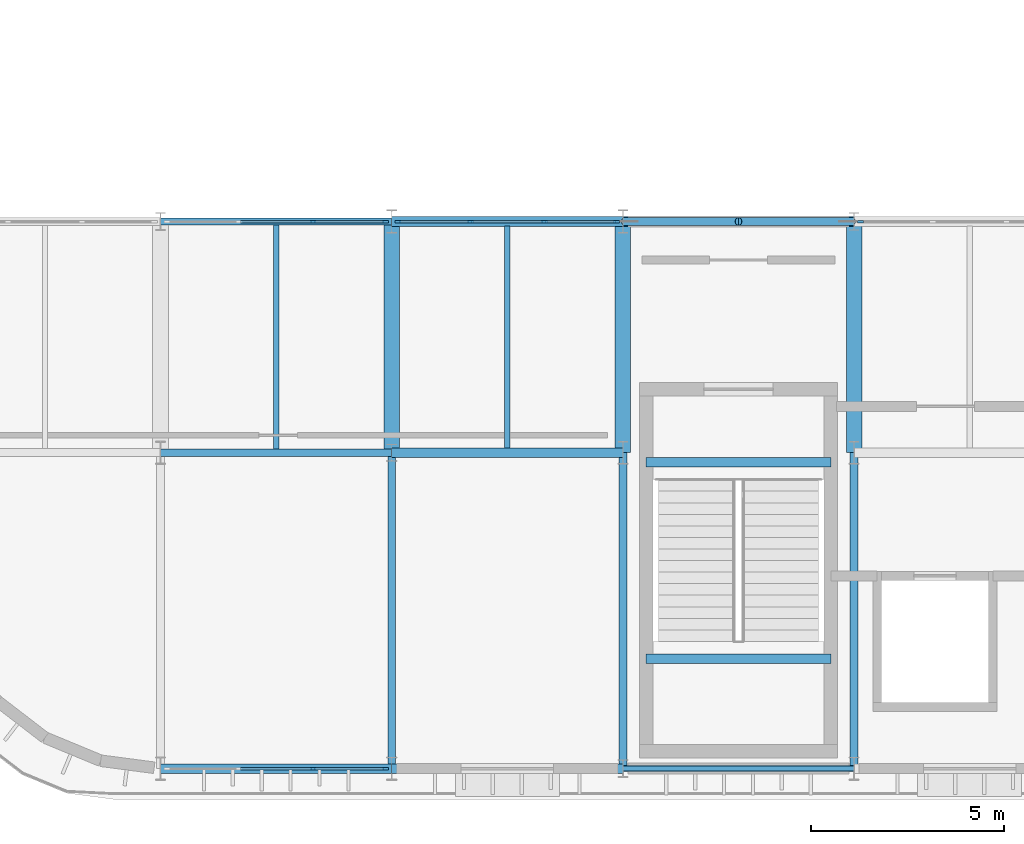
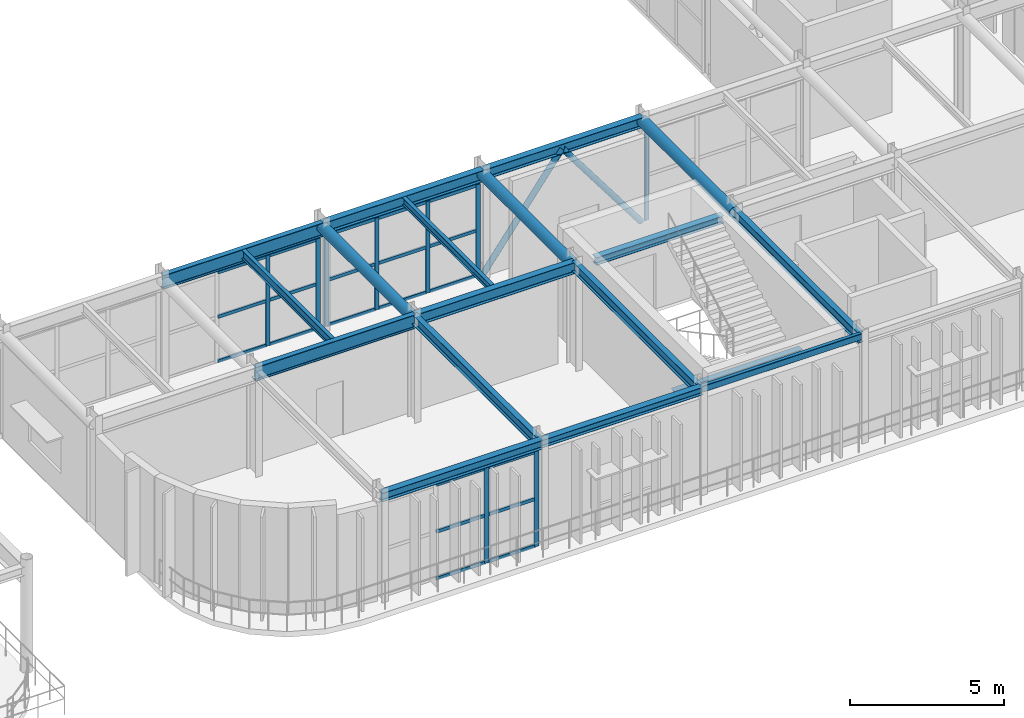
# One storey, part 38 of 96: 32 members, 18 beams, 4 elements without a shape of their own.
"""IFC4 building model written with IfcOpenShell, lengths in metres."""

import ifcopenshell
import ifcopenshell.guid

model = None  # the IFC model being written
_history = None  # IfcOwnerHistory: only IFC2X3 demands one
_inside = {}  # id of a spatial element -> (the spatial element, [elements in it])
_under = {}  # id of a project, library or spatial element -> (it, [spatial elements below it])
_declared = {}  # id of a project -> (the project, [libraries it declares])
_typed = {}  # id of a type object -> (the type object, [elements of that type])
_made_of = {}  # id of a material, layer set ... -> (it, [elements and type objects made of it])


def new_model(schema):
    """Start an empty IFC model of exactly this schema.

    Asked for "IFC4X3", IfcOpenShell would pick the latest addendum, in which some entities
    have other attributes; the version numbers below select the first issue.
    IFC2X3 requires an IfcOwnerHistory on every rooted entity: one is made here for all.
    """
    global model, _history
    if schema == "IFC4X3":
        model = ifcopenshell.file(schema_version=(4, 3, 0, 0))
    else:
        model = ifcopenshell.file(schema=schema)
    _inside.clear()
    _under.clear()
    _declared.clear()
    _typed.clear()
    _made_of.clear()
    _history = None
    if model.schema == "IFC2X3":
        org = make("IfcOrganization", Name="unknown")
        user = make(
            "IfcPersonAndOrganization",
            ThePerson=make("IfcPerson", FamilyName="unknown"),
            TheOrganization=org,
        )
        app = make(
            "IfcApplication",
            ApplicationDeveloper=org,
            Version="unknown",
            ApplicationFullName="unknown",
            ApplicationIdentifier="unknown",
        )
        _history = make(
            "IfcOwnerHistory",
            OwningUser=user,
            OwningApplication=app,
            ChangeAction="ADDED",
            CreationDate=0,
        )
    return model


def make(cls, **values):
    """One entity of the class cls with the attributes given. An attribute that is None is left unset."""
    return model.create_entity(
        cls, **{name: value for name, value in values.items() if value is not None}
    )


def rooted(cls, **values):
    """An entity with a GlobalId (a new one), such as an element, a storey or a relation."""
    return make(cls, GlobalId=ifcopenshell.guid.new(), OwnerHistory=_history, **values)


def si_unit(unit_type, name, prefix=None):
    """IfcSIUnit, for example si_unit("LENGTHUNIT", "METRE", prefix="MILLI")."""
    return make("IfcSIUnit", UnitType=unit_type, Prefix=prefix, Name=name)


def assignment(units):
    """IfcUnitAssignment: the units of a project."""
    return None if units is None else make("IfcUnitAssignment", Units=units)


def point(xyz):
    """IfcCartesianPoint."""
    return None if xyz is None else make("IfcCartesianPoint", Coordinates=xyz)


def direction(xyz):
    """IfcDirection."""
    return None if xyz is None else make("IfcDirection", DirectionRatios=xyz)


def frame(location, z_axis=None, x_axis=None):
    """IfcAxis2Placement3D, a coordinate frame: its origin and axes. An axis left out is left unset."""
    return make(
        "IfcAxis2Placement3D",
        Location=point(location),
        Axis=direction(z_axis),
        RefDirection=direction(x_axis),
    )


def frame_2d(location, x_axis=None):
    """IfcAxis2Placement2D, a coordinate frame in the plane: its origin and x axis."""
    return make(
        "IfcAxis2Placement2D", Location=point(location), RefDirection=direction(x_axis)
    )


def origin():
    """The frame at (0, 0, 0) with its axes left unset."""
    return frame((0.0, 0.0, 0.0))


def origin_2d():
    """The frame at (0, 0) in the plane with its x axis left unset."""
    return frame_2d((0.0, 0.0))


def place(relative_to, where):
    """IfcLocalPlacement: puts the frame where relative to a parent placement (None: the world)."""
    return make(
        "IfcLocalPlacement", PlacementRelTo=relative_to, RelativePlacement=where
    )


def context(
    kind, dimensions, precision=None, world=None, true_north=None, identifier=None
):
    """IfcGeometricRepresentationContext, for example the 3D "Model" context."""
    return make(
        "IfcGeometricRepresentationContext",
        ContextIdentifier=identifier,
        ContextType=kind,
        CoordinateSpaceDimension=dimensions,
        Precision=precision,
        WorldCoordinateSystem=world,
        TrueNorth=true_north,
    )


def subcontext(parent, identifier, kind, view, scale=None):
    """IfcGeometricRepresentationSubContext, for example "Body" below "Model"."""
    return make(
        "IfcGeometricRepresentationSubContext",
        ContextIdentifier=identifier,
        ContextType=kind,
        ParentContext=parent,
        TargetScale=scale,
        TargetView=view,
    )


def project(units=None, contexts=None):
    """IfcProject with its units and contexts."""
    return rooted(
        "IfcProject",
        Name="project",
        RepresentationContexts=contexts,
        UnitsInContext=assignment(units),
    )


def spatial(cls, under=None, at=None, **own):
    """A site, building, storey or space (cls), placed at a placement, below another one or the project."""
    s = rooted(cls, ObjectPlacement=at, **own)
    if under is not None:
        _under.setdefault(under.id(), (under, []))[1].append(s)
    return s


def profile(cls, at=None, kind="AREA", **sizes):
    """A parametric profile (cls). Its sizes go by their IFC names, for example OverallWidth=200.0."""
    return make(cls, ProfileType=kind, Position=at, **sizes)


def rectangle(**sizes):
    """IfcRectangleProfileDef."""
    return profile("IfcRectangleProfileDef", **sizes)


def hollow_rectangle(**sizes):
    """IfcRectangleHollowProfileDef."""
    return profile("IfcRectangleHollowProfileDef", **sizes)


def hollow_circle(**sizes):
    """IfcCircleHollowProfileDef."""
    return profile("IfcCircleHollowProfileDef", **sizes)


def i_section(**sizes):
    """IfcIShapeProfileDef."""
    return profile("IfcIShapeProfileDef", **sizes)


def extrude(swept, where, along, depth):
    """IfcExtrudedAreaSolid: the profile swept, set in the frame where, extruded along a direction by depth."""
    return make(
        "IfcExtrudedAreaSolid",
        SweptArea=swept,
        Position=where,
        ExtrudedDirection=direction(along),
        Depth=depth,
    )


def shape(context_of_items, identifier, shape_type, items):
    """IfcShapeRepresentation: the items that make up one representation, for example the "Body"."""
    return make(
        "IfcShapeRepresentation",
        ContextOfItems=context_of_items,
        RepresentationIdentifier=identifier,
        RepresentationType=shape_type,
        Items=items,
    )


def material(Name=None, Category=None):
    """IfcMaterial."""
    return make("IfcMaterial", Name=Name, Category=Category)


def material_profile(
    of_material, cross_section, Name=None, Category=None, Priority=None
):
    """IfcMaterialProfile: a cross section and its material."""
    return make(
        "IfcMaterialProfile",
        Name=Name,
        Material=of_material,
        Profile=cross_section,
        Priority=Priority,
        Category=Category,
    )


def profile_set(profiles, Name=None, composite=None):
    """IfcMaterialProfileSet."""
    return make(
        "IfcMaterialProfileSet",
        Name=Name,
        MaterialProfiles=profiles,
        CompositeProfile=composite,
    )


def made_of(thing, what):
    """Note that an element or type object is made of a material, layer set ...; save() writes the relation."""
    if what is not None:
        _made_of.setdefault(what.id(), (what, []))[1].append(thing)
    return thing


def type_object(cls, material=None, **own):
    """A type object (cls), such as IfcWallType, which elements share."""
    return made_of(rooted(cls, **own), material)


def element(
    cls,
    number,
    at=None,
    inside=None,
    cuts=None,
    type_object=None,
    material=None,
    context=None,
    identifier="Body",
    shape_type=None,
    held_by="IfcProductDefinitionShape",
    body=None,
    shapes=None,
    **own,
):
    """One element of the class cls, such as IfcWall. Its Tag is "e" and its number.

    at: its placement. inside: the storey or other place that contains it. cuts: it is an
    opening in that element (IfcRelVoidsElement). A single representation is given by context,
    identifier, shape_type and body (its items); several are given by shapes. held_by: the class
    of the entity that holds the representations. save() writes the other relations.
    """
    e = rooted(cls, Tag="e%d" % number, ObjectPlacement=at, **own)
    if body is not None:
        shapes = [shape(context, identifier, shape_type, body)]
    if shapes is not None:
        e.Representation = make(held_by, Representations=shapes)
    if inside is not None:
        _inside.setdefault(inside.id(), (inside, []))[1].append(e)
    if cuts is not None:
        rooted(
            "IfcRelVoidsElement", RelatingBuildingElement=cuts, RelatedOpeningElement=e
        )
    if type_object is not None:
        _typed.setdefault(type_object.id(), (type_object, []))[1].append(e)
    return made_of(e, material)


def aggregate(whole, parts):
    """IfcRelAggregates: a whole, such as a stair, and the parts it consists of."""
    return rooted("IfcRelAggregates", RelatingObject=whole, RelatedObjects=parts)


def save(model, path):
    """Write the relations noted so far, then the file.

    IfcRelAggregates (storeys below a building ...), IfcRelContainedInSpatialStructure (elements
    in a storey), IfcRelDefinesByType, IfcRelAssociatesMaterial and IfcRelDeclares: one each for
    every whole, place, type object, material and project.
    """
    for whole, parts in _under.values():
        aggregate(whole, parts)
    for where, things in _inside.values():
        rooted(
            "IfcRelContainedInSpatialStructure",
            RelatedElements=things,
            RelatingStructure=where,
        )
    for kind, things in _typed.values():
        rooted("IfcRelDefinesByType", RelatedObjects=things, RelatingType=kind)
    for what, things in _made_of.values():
        rooted("IfcRelAssociatesMaterial", RelatedObjects=things, RelatingMaterial=what)
    for by, libraries in _declared.values():
        rooted("IfcRelDeclares", RelatingContext=by, RelatedDefinitions=libraries)
    model.write(path)


model = new_model("IFC4")

# Units and contexts
model_context = context("Model", 3, precision=1e-05, world=origin(), true_north=direction((0.0, 1.0)))
body_context = subcontext(model_context, "Body", "Model", "MODEL_VIEW")
ifc_project = project(units=[si_unit("LENGTHUNIT", "METRE"), si_unit("AREAUNIT", "SQUARE_METRE"), si_unit("VOLUMEUNIT", "CUBIC_METRE"), si_unit("PLANEANGLEUNIT", "RADIAN"), si_unit("MASSUNIT", "GRAM", prefix="KILO")], contexts=[model_context])

# Site, building, storey
site_placement = place(None, origin())
site = spatial("IfcSite", under=ifc_project, at=site_placement, CompositionType="ELEMENT")
building_placement = place(site_placement, origin())
building = spatial("IfcBuilding", under=site, at=building_placement, Name="Varnakota Square Police Headquarters", CompositionType="ELEMENT")
storey_placement = place(building_placement, frame((0.0, 0.0, 4.800048828125)))
storey = spatial("IfcBuildingStorey", under=building, at=storey_placement, Name="L01", CompositionType="ELEMENT", Elevation=4.800048828125)

# Beams
ifc_material_1 = material(Name="Steel IS 2062 Grade 350", Category="steel")
ifc_material_profile_1 = material_profile(ifc_material_1, hollow_circle(Radius=0.203125, WallThickness=0.01611328125, at=origin_2d()), Name="CHS 406.4x16.0")
ifc_profile_set_1 = profile_set([ifc_material_profile_1], Name="Steel IS 2062 Grade 350")
beam_type_1 = type_object("IfcBeamType", Name="BM-ARC-CHS406", PredefinedType="BEAM", material=ifc_profile_set_1)
for number, where, z_axis, x_axis, name in (
    (1, (120.0, 9.0, 3.996826171875), (0.0, 1.0, 0.0), (-1.0, 0.0, 0.0), "BMG-L01-1696"),
    (2, (126.0, 9.0, 3.996826171875), (0.0, 1.0, 0.0), (-1.0, 0.0, 0.0), "BMG-L01-1702"),
    (3, (132.0, 9.0, 3.996826171875), (0.0, 1.0, 0.0), (-1.0, 0.0, 0.0), "BMG-L01-1708"),
):
    element("IfcBeam", number, at=place(storey_placement, frame(where, z_axis=z_axis, x_axis=x_axis)), inside=storey, type_object=beam_type_1, Name=name, PredefinedType="BEAM", context=body_context, shape_type="SweptSolid", body=[
        extrude(hollow_circle(Radius=0.203125, WallThickness=0.01611328125, at=origin_2d()), origin(), (0.0, 0.0, 1.0), 6.0),
    ])
ifc_material_profile_2 = material_profile(ifc_material_1, hollow_rectangle(XDim=0.14990234375, YDim=0.25, WallThickness=0.010009765625, InnerFilletRadius=0.010009765625, OuterFilletRadius=0.02001953125, at=origin_2d()), Name="RHS 250x150x10")
ifc_profile_set_2 = profile_set([ifc_material_profile_2], Name="Steel IS 2062 Grade 350")
beam_type_2 = type_object("IfcBeamType", Name="BM-CBEAM-RHS250", PredefinedType="BEAM", material=ifc_profile_set_2)
beam_1_placement = place(storey_placement, frame((126.0, 0.800048828125, 4.074951171875), z_axis=(1.0, 0.0, 0.0), x_axis=(0.0, 1.0, 0.0)))
element("IfcBeam", 4, at=beam_1_placement, inside=storey, type_object=beam_type_2, Name="BMG-L01-1309", PredefinedType="BEAM", context=body_context, shape_type="SweptSolid", body=[
    extrude(hollow_rectangle(XDim=0.14990234375, YDim=0.25, WallThickness=0.010009765625, InnerFilletRadius=0.010009765625, OuterFilletRadius=0.02001953125, at=origin_2d()), origin(), (0.0, 0.0, 1.0), 6.0),
])
ifc_material_profile_3 = material_profile(ifc_material_1, i_section(OverallWidth=0.25, OverallDepth=0.300048828125, WebThickness=0.009521484375, FlangeThickness=0.010498046875, FilletRadius=0.011962890625, at=origin_2d()), Name="ISHB 300")
ifc_profile_set_3 = profile_set([ifc_material_profile_3], Name="Steel IS 2062 Grade 350")
beam_type_3 = type_object("IfcBeamType", Name="BM-ISHB300", PredefinedType="BEAM", material=ifc_profile_set_3)
beam_2_placement = place(storey_placement, frame((120.0, 0.800048828125, 4.050048828125), z_axis=(1.0, 0.0, 0.0), x_axis=(0.0, 1.0, 0.0)))
element("IfcBeam", 5, at=beam_2_placement, inside=storey, type_object=beam_type_3, Name="BMG-L01-1308", PredefinedType="BEAM", context=body_context, shape_type="SweptSolid", body=[
    extrude(i_section(OverallWidth=0.25, OverallDepth=0.300048828125, WebThickness=0.009521484375, FlangeThickness=0.010498046875, FilletRadius=0.011962890625, at=origin_2d()), origin(), (0.0, 0.0, 1.0), 6.0),
])
for number, where, z_axis, x_axis, name in (
    (6, (126.60009765625, 3.6494140625, 1.933837890625), (1.0, 0.0, 0.0), (0.0, 1.0, 0.0), "Stair landing support beam BM-LND-0004"),
    (7, (126.60009765625, 8.75, 4.14990234375), (1.0, 0.0, 0.0), (0.0, 1.0, 0.0), "Stair landing support beam BM-LND-0005"),
):
    element("IfcBeam", number, at=place(storey_placement, frame(where, z_axis=z_axis, x_axis=x_axis)), inside=storey, type_object=beam_type_3, Name=name, PredefinedType="BEAM", context=body_context, shape_type="SweptSolid", body=[
        extrude(i_section(OverallWidth=0.25, OverallDepth=0.300048828125, WebThickness=0.009521484375, FlangeThickness=0.010498046875, FilletRadius=0.011962890625, at=origin_2d()), origin(), (0.0, 0.0, 1.0), 4.7998046875),
    ])
ifc_material_profile_4 = material_profile(ifc_material_1, i_section(OverallWidth=0.25, OverallDepth=0.35009765625, WebThickness=0.010009765625, FlangeThickness=0.01171875, FilletRadius=0.011962890625, at=origin_2d()), Name="ISHB 350")
ifc_profile_set_4 = profile_set([ifc_material_profile_4], Name="Steel IS 2062 Grade 350")
beam_type_4 = type_object("IfcBeamType", Name="BM-ISHB350", PredefinedType="BEAM", material=ifc_profile_set_4)
beam_3_placement = place(storey_placement, frame((114.0, 0.800048828125, 4.02490234375), z_axis=(1.0, 0.0, 0.0), x_axis=(0.0, 1.0, 0.0)))
element("IfcBeam", 8, at=beam_3_placement, inside=storey, type_object=beam_type_4, Name="BMG-L01-1307", PredefinedType="BEAM", context=body_context, shape_type="SweptSolid", body=[
    extrude(i_section(OverallWidth=0.25, OverallDepth=0.35009765625, WebThickness=0.010009765625, FlangeThickness=0.01171875, FilletRadius=0.011962890625, at=origin_2d()), origin(), (0.0, 0.0, 1.0), 6.0),
])
ifc_material_profile_5 = material_profile(ifc_material_1, i_section(OverallWidth=0.25, OverallDepth=0.39990234375, WebThickness=0.010498046875, FlangeThickness=0.0126953125, FilletRadius=0.013916015625, at=origin_2d()), Name="ISHB 400")
ifc_profile_set_5 = profile_set([ifc_material_profile_5], Name="Steel IS 2062 Grade 350")
beam_type_5 = type_object("IfcBeamType", Name="BM-ISHB400", PredefinedType="BEAM", material=ifc_profile_set_5)
beam_4_placement = place(storey_placement, frame((126.0, 15.0, 4.0), z_axis=(1.0, 0.0, 0.0), x_axis=(0.0, 1.0, 0.0)))
element("IfcBeam", 9, at=beam_4_placement, inside=storey, type_object=beam_type_5, Name="BMG-L01-1349", PredefinedType="BEAM", context=body_context, shape_type="SweptSolid", body=[
    extrude(i_section(OverallWidth=0.25, OverallDepth=0.39990234375, WebThickness=0.010498046875, FlangeThickness=0.0126953125, FilletRadius=0.013916015625, at=origin_2d()), origin(), (0.0, 0.0, 1.0), 6.0),
])
ifc_material_profile_6 = material_profile(ifc_material_1, i_section(OverallWidth=0.25, OverallDepth=0.449951171875, WebThickness=0.01123046875, FlangeThickness=0.013671875, FilletRadius=0.014892578125, at=origin_2d()), Name="ISHB 450")
ifc_profile_set_6 = profile_set([ifc_material_profile_6], Name="Steel IS 2062 Grade 350")
beam_type_6 = type_object("IfcBeamType", Name="BM-ISHB450", PredefinedType="BEAM", material=ifc_profile_set_6)
for number, where, z_axis, x_axis, name in (
    (10, (120.0, 9.0, 3.974853515625), (1.0, 0.0, 0.0), (0.0, 1.0, 0.0), "BMG-L01-1334"),
    (11, (120.0, 15.0, 3.974853515625), (1.0, 0.0, 0.0), (0.0, 1.0, 0.0), "BMG-L01-1348"),
):
    element("IfcBeam", number, at=place(storey_placement, frame(where, z_axis=z_axis, x_axis=x_axis)), inside=storey, type_object=beam_type_6, Name=name, PredefinedType="BEAM", context=body_context, shape_type="SweptSolid", body=[
        extrude(i_section(OverallWidth=0.25, OverallDepth=0.449951171875, WebThickness=0.01123046875, FlangeThickness=0.013671875, FilletRadius=0.014892578125, at=origin_2d()), origin(), (0.0, 0.0, 1.0), 6.0),
    ])
ifc_material_profile_7 = material_profile(ifc_material_1, i_section(OverallWidth=0.139892578125, OverallDepth=0.300048828125, WebThickness=0.0078125, FlangeThickness=0.01318359375, FilletRadius=0.013916015625, at=origin_2d()), Name="ISMB 300")
ifc_profile_set_7 = profile_set([ifc_material_profile_7], Name="Steel IS 2062 Grade 350")
beam_type_7 = type_object("IfcBeamType", Name="BM-ISMB300", PredefinedType="JOIST", material=ifc_profile_set_7)
beam_5_placement = place(storey_placement, frame((123.0, 9.123046875, 4.050048828125), z_axis=(0.0, 1.0, 0.0), x_axis=(-1.0, 0.0, 0.0)))
element("IfcBeam", 12, at=beam_5_placement, inside=storey, type_object=beam_type_7, Name="BMG-L01-1856", PredefinedType="JOIST", context=body_context, shape_type="SweptSolid", body=[
    extrude(i_section(OverallWidth=0.139892578125, OverallDepth=0.300048828125, WebThickness=0.0078125, FlangeThickness=0.01318359375, FilletRadius=0.013916015625, at=origin_2d()), origin(), (0.0, 0.0, 1.0), 5.75390625),
])
ifc_material_profile_8 = material_profile(ifc_material_1, i_section(OverallWidth=0.139892578125, OverallDepth=0.35009765625, WebThickness=0.008056640625, FlangeThickness=0.01416015625, FilletRadius=0.013916015625, at=origin_2d()), Name="ISMB 350")
ifc_profile_set_8 = profile_set([ifc_material_profile_8], Name="Steel IS 2062 Grade 350")
beam_type_8 = type_object("IfcBeamType", Name="BM-ISMB350", PredefinedType="JOIST", material=ifc_profile_set_8)
beam_6_placement = place(storey_placement, frame((117.0, 9.093017578125, 4.02490234375), z_axis=(0.0, 1.0, 0.0), x_axis=(-1.0, 0.0, 0.0)))
element("IfcBeam", 13, at=beam_6_placement, inside=storey, type_object=beam_type_8, Name="BMG-L01-1852", PredefinedType="JOIST", context=body_context, shape_type="SweptSolid", body=[
    extrude(i_section(OverallWidth=0.139892578125, OverallDepth=0.35009765625, WebThickness=0.008056640625, FlangeThickness=0.01416015625, FilletRadius=0.013916015625, at=origin_2d()), origin(), (0.0, 0.0, 1.0), 5.81396484375),
])
ifc_material_profile_9 = material_profile(ifc_material_1, i_section(OverallWidth=0.18994140625, OverallDepth=0.550048828125, WebThickness=0.01123046875, FlangeThickness=0.019287109375, FilletRadius=0.01806640625, at=origin_2d()), Name="ISMB 550")
ifc_profile_set_9 = profile_set([ifc_material_profile_9], Name="Steel IS 2062 Grade 350")
beam_type_9 = type_object("IfcBeamType", Name="BM-ISMB550", PredefinedType="BEAM", material=ifc_profile_set_9)
for number, where, z_axis, x_axis, name in (
    (14, (114.0, 9.0, 3.925048828125), (1.0, 0.0, 0.0), (0.0, 1.0, 0.0), "BMG-L01-1333"),
    (15, (114.0, 15.0, 3.925048828125), (1.0, 0.0, 0.0), (0.0, 1.0, 0.0), "BMG-L01-1347"),
):
    element("IfcBeam", number, at=place(storey_placement, frame(where, z_axis=z_axis, x_axis=x_axis)), inside=storey, type_object=beam_type_9, Name=name, PredefinedType="BEAM", context=body_context, shape_type="SweptSolid", body=[
        extrude(i_section(OverallWidth=0.18994140625, OverallDepth=0.550048828125, WebThickness=0.01123046875, FlangeThickness=0.019287109375, FilletRadius=0.01806640625, at=origin_2d()), origin(), (0.0, 0.0, 1.0), 6.0),
    ])
ifc_material_profile_10 = material_profile(ifc_material_1, i_section(OverallWidth=0.199951171875, OverallDepth=0.39990234375, WebThickness=0.008544921875, FlangeThickness=0.012939453125, FilletRadius=0.012939453125, at=origin_2d()), Name="ISWB 400")
ifc_profile_set_10 = profile_set([ifc_material_profile_10], Name="Steel IS 2062 Grade 350")
beam_type_10 = type_object("IfcBeamType", Name="BM-ISWB400", PredefinedType="BEAM", material=ifc_profile_set_10)
for number, where, z_axis, x_axis, name in (
    (16, (120.0, 0.800048828125, 4.0), (0.0, 1.0, 0.0), (-1.0, 0.0, 0.0), "BMG-L01-1695"),
    (17, (126.0, 0.800048828125, 4.0), (0.0, 1.0, 0.0), (-1.0, 0.0, 0.0), "BMG-L01-1701"),
    (18, (132.0, 0.800048828125, 4.0), (0.0, 1.0, 0.0), (-1.0, 0.0, 0.0), "BMG-L01-1707"),
):
    element("IfcBeam", number, at=place(storey_placement, frame(where, z_axis=z_axis, x_axis=x_axis)), inside=storey, type_object=beam_type_10, Name=name, PredefinedType="BEAM", context=body_context, shape_type="SweptSolid", body=[
        extrude(i_section(OverallWidth=0.199951171875, OverallDepth=0.39990234375, WebThickness=0.008544921875, FlangeThickness=0.012939453125, FilletRadius=0.012939453125, at=origin_2d()), origin(), (0.0, 0.0, 1.0), 8.199951171875),
    ])

# Curtain wall, members
ifc_material_2 = material(Name="Anodised Aluminium Framing", Category="aluminium")
curtain_wall_type_1 = type_object("IfcCurtainWallType", Name="CW-SYS-B", PredefinedType="NOTDEFINED", material=ifc_material_2)
curtain_wall_1_placement = place(storey_placement, origin())
curtain_wall_1 = element("IfcCurtainWall", 19, at=curtain_wall_1_placement, inside=storey, type_object=curtain_wall_type_1, Name="Unitised curtain wall CWG-L01-055", PredefinedType="NOTDEFINED")
ifc_material_3 = material(Name="Anodised Aluminium 6063-T6", Category="aluminium")
ifc_material_profile_11 = material_profile(ifc_material_3, rectangle(XDim=0.06494140625, YDim=0.159912109375, at=origin_2d()), Name="ALU MULLION 65x160")
ifc_profile_set_11 = profile_set([ifc_material_profile_11], Name="Anodised Aluminium 6063-T6")
member_type_1 = type_object("IfcMemberType", Name="CWM-150", PredefinedType="MULLION", material=ifc_profile_set_11)
member_1_placement = place(storey_placement, frame((117.956787109375, 0.800048828125, 0.0), z_axis=(0.0, 0.0, 1.0), x_axis=(0.0, 1.0, 0.0)))
member_1 = element("IfcMember", 20, at=member_1_placement, type_object=member_type_1, Name="CWG-L01-055 mullion 3", PredefinedType="MULLION", context=body_context, shape_type="SweptSolid", body=[
    extrude(rectangle(XDim=0.06494140625, YDim=0.159912109375, at=origin_2d()), origin(), (0.0, 0.0, 1.0), 3.7900390625),
])
member_2_placement = place(storey_placement, frame((119.83740234375, 0.800048828125, 0.0), z_axis=(0.0, 0.0, 1.0), x_axis=(0.0, 1.0, 0.0)))
member_2 = element("IfcMember", 21, at=member_2_placement, type_object=member_type_1, Name="CWG-L01-055 mullion 4", PredefinedType="MULLION", context=body_context, shape_type="SweptSolid", body=[
    extrude(rectangle(XDim=0.06494140625, YDim=0.159912109375, at=origin_2d()), origin(), (0.0, 0.0, 1.0), 3.7900390625),
])

curtain_wall_type_2 = type_object("IfcCurtainWallType", Name="CW-SYS-D", PredefinedType="NOTDEFINED", material=ifc_material_2)
curtain_wall_2_placement = place(storey_placement, origin())
curtain_wall_2 = element("IfcCurtainWall", 22, at=curtain_wall_2_placement, inside=storey, type_object=curtain_wall_type_2, Name="Unitised curtain wall CWG-L01-059", PredefinedType="NOTDEFINED")
member_3_placement = place(storey_placement, frame((117.956787109375, 15.0, 0.0), z_axis=(0.0, 0.0, 1.0), x_axis=(0.0, 1.0, 0.0)))
member_3 = element("IfcMember", 23, at=member_3_placement, type_object=member_type_1, Name="CWG-L01-059 mullion 3", PredefinedType="MULLION", context=body_context, shape_type="SweptSolid", body=[
    extrude(rectangle(XDim=0.06494140625, YDim=0.159912109375, at=origin_2d()), origin(), (0.0, 0.0, 1.0), 3.58984375),
])
member_4_placement = place(storey_placement, frame((119.83740234375, 15.0, 0.0), z_axis=(0.0, 0.0, 1.0), x_axis=(0.0, 1.0, 0.0)))
member_4 = element("IfcMember", 24, at=member_4_placement, type_object=member_type_1, Name="CWG-L01-059 mullion 4", PredefinedType="MULLION", context=body_context, shape_type="SweptSolid", body=[
    extrude(rectangle(XDim=0.06494140625, YDim=0.159912109375, at=origin_2d()), origin(), (0.0, 0.0, 1.0), 3.58984375),
])

curtain_wall_3_placement = place(storey_placement, origin())
curtain_wall_3 = element("IfcCurtainWall", 25, at=curtain_wall_3_placement, inside=storey, type_object=curtain_wall_type_2, Name="Unitised curtain wall CWG-L01-060", PredefinedType="NOTDEFINED")
member_5_placement = place(storey_placement, frame((120.16259765625, 15.0, 0.0), z_axis=(0.0, 0.0, 1.0), x_axis=(0.0, 1.0, 0.0)))
member_5 = element("IfcMember", 26, at=member_5_placement, type_object=member_type_1, Name="CWG-L01-060 mullion 1", PredefinedType="MULLION", context=body_context, shape_type="SweptSolid", body=[
    extrude(rectangle(XDim=0.06494140625, YDim=0.159912109375, at=origin_2d()), origin(), (0.0, 0.0, 1.0), 3.639892578125),
])
member_6_placement = place(storey_placement, frame((122.043212890625, 15.0, 0.0), z_axis=(0.0, 0.0, 1.0), x_axis=(0.0, 1.0, 0.0)))
member_6 = element("IfcMember", 27, at=member_6_placement, type_object=member_type_1, Name="CWG-L01-060 mullion 2", PredefinedType="MULLION", context=body_context, shape_type="SweptSolid", body=[
    extrude(rectangle(XDim=0.06494140625, YDim=0.159912109375, at=origin_2d()), origin(), (0.0, 0.0, 1.0), 3.639892578125),
])
member_7_placement = place(storey_placement, frame((123.956787109375, 15.0, 0.0), z_axis=(0.0, 0.0, 1.0), x_axis=(0.0, 1.0, 0.0)))
member_7 = element("IfcMember", 28, at=member_7_placement, type_object=member_type_1, Name="CWG-L01-060 mullion 3", PredefinedType="MULLION", context=body_context, shape_type="SweptSolid", body=[
    extrude(rectangle(XDim=0.06494140625, YDim=0.159912109375, at=origin_2d()), origin(), (0.0, 0.0, 1.0), 3.639892578125),
])
member_8_placement = place(storey_placement, frame((125.83740234375, 15.0, 0.0), z_axis=(0.0, 0.0, 1.0), x_axis=(0.0, 1.0, 0.0)))
member_8 = element("IfcMember", 29, at=member_8_placement, type_object=member_type_1, Name="CWG-L01-060 mullion 4", PredefinedType="MULLION", context=body_context, shape_type="SweptSolid", body=[
    extrude(rectangle(XDim=0.06494140625, YDim=0.159912109375, at=origin_2d()), origin(), (0.0, 0.0, 1.0), 3.639892578125),
])

# Curtain wall, member
curtain_wall_4_placement = place(storey_placement, origin())
curtain_wall_4 = element("IfcCurtainWall", 30, at=curtain_wall_4_placement, inside=storey, type_object=curtain_wall_type_2, Name="Unitised curtain wall CWG-L01-061", PredefinedType="NOTDEFINED")
member_9_placement = place(storey_placement, frame((132.16259765625, 15.0, 0.0), z_axis=(0.0, 0.0, 1.0), x_axis=(0.0, 1.0, 0.0)))
member_9 = element("IfcMember", 31, at=member_9_placement, type_object=member_type_1, Name="CWG-L01-061 mullion 1", PredefinedType="MULLION", context=body_context, shape_type="SweptSolid", body=[
    extrude(rectangle(XDim=0.06494140625, YDim=0.159912109375, at=origin_2d()), origin(), (0.0, 0.0, 1.0), 3.58984375),
])
aggregate(curtain_wall_4, [member_9])

# Member
ifc_material_profile_12 = material_profile(ifc_material_3, rectangle(XDim=0.06494140625, YDim=0.1298828125, at=origin_2d()), Name="ALU TRANSOM 65x130")
ifc_profile_set_12 = profile_set([ifc_material_profile_12], Name="Anodised Aluminium 6063-T6")
member_type_2 = type_object("IfcMemberType", Name="CWT-120", PredefinedType="USERDEFINED", material=ifc_profile_set_12)
member_10_placement = place(storey_placement, frame((116.075927734375, 0.800048828125, 0.032470703125), z_axis=(1.0, 0.0, 0.0), x_axis=(0.0, 1.0, 0.0)))
member_10 = element("IfcMember", 32, at=member_10_placement, type_object=member_type_2, Name="CWG-L01-055 transom 2.1", ObjectType="TRANSOM", PredefinedType="USERDEFINED", context=body_context, shape_type="SweptSolid", body=[
    extrude(rectangle(XDim=0.06494140625, YDim=0.1298828125, at=origin_2d()), origin(), (0.0, 0.0, 1.0), 1.84814453125),
])

member_11_placement = place(storey_placement, frame((116.075927734375, 0.800048828125, 1.89501953125), z_axis=(1.0, 0.0, 0.0), x_axis=(0.0, 1.0, 0.0)))
member_11 = element("IfcMember", 33, at=member_11_placement, type_object=member_type_2, Name="CWG-L01-055 transom 2.2", ObjectType="TRANSOM", PredefinedType="USERDEFINED", context=body_context, shape_type="SweptSolid", body=[
    extrude(rectangle(XDim=0.06494140625, YDim=0.1298828125, at=origin_2d()), origin(), (0.0, 0.0, 1.0), 1.84814453125),
])

member_12_placement = place(storey_placement, frame((116.075927734375, 0.800048828125, 3.757568359375), z_axis=(1.0, 0.0, 0.0), x_axis=(0.0, 1.0, 0.0)))
member_12 = element("IfcMember", 34, at=member_12_placement, type_object=member_type_2, Name="CWG-L01-055 transom 2.3", ObjectType="TRANSOM", PredefinedType="USERDEFINED", context=body_context, shape_type="SweptSolid", body=[
    extrude(rectangle(XDim=0.06494140625, YDim=0.1298828125, at=origin_2d()), origin(), (0.0, 0.0, 1.0), 1.84814453125),
])

member_13_placement = place(storey_placement, frame((117.9892578125, 0.800048828125, 0.032470703125), z_axis=(1.0, 0.0, 0.0), x_axis=(0.0, 1.0, 0.0)))
member_13 = element("IfcMember", 35, at=member_13_placement, type_object=member_type_2, Name="CWG-L01-055 transom 3.1", ObjectType="TRANSOM", PredefinedType="USERDEFINED", context=body_context, shape_type="SweptSolid", body=[
    extrude(rectangle(XDim=0.06494140625, YDim=0.1298828125, at=origin_2d()), origin(), (0.0, 0.0, 1.0), 1.815673828125),
])

member_14_placement = place(storey_placement, frame((117.9892578125, 0.800048828125, 1.89501953125), z_axis=(1.0, 0.0, 0.0), x_axis=(0.0, 1.0, 0.0)))
member_14 = element("IfcMember", 36, at=member_14_placement, type_object=member_type_2, Name="CWG-L01-055 transom 3.2", ObjectType="TRANSOM", PredefinedType="USERDEFINED", context=body_context, shape_type="SweptSolid", body=[
    extrude(rectangle(XDim=0.06494140625, YDim=0.1298828125, at=origin_2d()), origin(), (0.0, 0.0, 1.0), 1.815673828125),
])

member_15_placement = place(storey_placement, frame((117.9892578125, 0.800048828125, 3.757568359375), z_axis=(1.0, 0.0, 0.0), x_axis=(0.0, 1.0, 0.0)))
member_15 = element("IfcMember", 37, at=member_15_placement, type_object=member_type_2, Name="CWG-L01-055 transom 3.3", ObjectType="TRANSOM", PredefinedType="USERDEFINED", context=body_context, shape_type="SweptSolid", body=[
    extrude(rectangle(XDim=0.06494140625, YDim=0.1298828125, at=origin_2d()), origin(), (0.0, 0.0, 1.0), 1.815673828125),
])

aggregate(curtain_wall_1, [member_1, member_2, member_10, member_11, member_12, member_13, member_14, member_15])

member_16_placement = place(storey_placement, frame((116.075927734375, 15.0, 0.032470703125), z_axis=(1.0, 0.0, 0.0), x_axis=(0.0, 1.0, 0.0)))
member_16 = element("IfcMember", 38, at=member_16_placement, type_object=member_type_2, Name="CWG-L01-059 transom 2.1", ObjectType="TRANSOM", PredefinedType="USERDEFINED", context=body_context, shape_type="SweptSolid", body=[
    extrude(rectangle(XDim=0.06494140625, YDim=0.1298828125, at=origin_2d()), origin(), (0.0, 0.0, 1.0), 1.84814453125),
])

member_17_placement = place(storey_placement, frame((116.075927734375, 15.0, 1.794921875), z_axis=(1.0, 0.0, 0.0), x_axis=(0.0, 1.0, 0.0)))
member_17 = element("IfcMember", 39, at=member_17_placement, type_object=member_type_2, Name="CWG-L01-059 transom 2.2", ObjectType="TRANSOM", PredefinedType="USERDEFINED", context=body_context, shape_type="SweptSolid", body=[
    extrude(rectangle(XDim=0.06494140625, YDim=0.1298828125, at=origin_2d()), origin(), (0.0, 0.0, 1.0), 1.84814453125),
])

member_18_placement = place(storey_placement, frame((116.075927734375, 15.0, 3.557373046875), z_axis=(1.0, 0.0, 0.0), x_axis=(0.0, 1.0, 0.0)))
member_18 = element("IfcMember", 40, at=member_18_placement, type_object=member_type_2, Name="CWG-L01-059 transom 2.3", ObjectType="TRANSOM", PredefinedType="USERDEFINED", context=body_context, shape_type="SweptSolid", body=[
    extrude(rectangle(XDim=0.06494140625, YDim=0.1298828125, at=origin_2d()), origin(), (0.0, 0.0, 1.0), 1.84814453125),
])

member_19_placement = place(storey_placement, frame((117.9892578125, 15.0, 0.032470703125), z_axis=(1.0, 0.0, 0.0), x_axis=(0.0, 1.0, 0.0)))
member_19 = element("IfcMember", 41, at=member_19_placement, type_object=member_type_2, Name="CWG-L01-059 transom 3.1", ObjectType="TRANSOM", PredefinedType="USERDEFINED", context=body_context, shape_type="SweptSolid", body=[
    extrude(rectangle(XDim=0.06494140625, YDim=0.1298828125, at=origin_2d()), origin(), (0.0, 0.0, 1.0), 1.815673828125),
])

member_20_placement = place(storey_placement, frame((117.9892578125, 15.0, 1.794921875), z_axis=(1.0, 0.0, 0.0), x_axis=(0.0, 1.0, 0.0)))
member_20 = element("IfcMember", 42, at=member_20_placement, type_object=member_type_2, Name="CWG-L01-059 transom 3.2", ObjectType="TRANSOM", PredefinedType="USERDEFINED", context=body_context, shape_type="SweptSolid", body=[
    extrude(rectangle(XDim=0.06494140625, YDim=0.1298828125, at=origin_2d()), origin(), (0.0, 0.0, 1.0), 1.815673828125),
])

member_21_placement = place(storey_placement, frame((117.9892578125, 15.0, 3.557373046875), z_axis=(1.0, 0.0, 0.0), x_axis=(0.0, 1.0, 0.0)))
member_21 = element("IfcMember", 43, at=member_21_placement, type_object=member_type_2, Name="CWG-L01-059 transom 3.3", ObjectType="TRANSOM", PredefinedType="USERDEFINED", context=body_context, shape_type="SweptSolid", body=[
    extrude(rectangle(XDim=0.06494140625, YDim=0.1298828125, at=origin_2d()), origin(), (0.0, 0.0, 1.0), 1.815673828125),
])

aggregate(curtain_wall_2, [member_3, member_4, member_16, member_17, member_18, member_19, member_20, member_21])

member_22_placement = place(storey_placement, frame((120.195068359375, 15.0, 0.032470703125), z_axis=(1.0, 0.0, 0.0), x_axis=(0.0, 1.0, 0.0)))
member_22 = element("IfcMember", 44, at=member_22_placement, type_object=member_type_2, Name="CWG-L01-060 transom 1.1", ObjectType="TRANSOM", PredefinedType="USERDEFINED", context=body_context, shape_type="SweptSolid", body=[
    extrude(rectangle(XDim=0.06494140625, YDim=0.1298828125, at=origin_2d()), origin(), (0.0, 0.0, 1.0), 1.815673828125),
])

member_23_placement = place(storey_placement, frame((120.195068359375, 15.0, 1.820068359375), z_axis=(1.0, 0.0, 0.0), x_axis=(0.0, 1.0, 0.0)))
member_23 = element("IfcMember", 45, at=member_23_placement, type_object=member_type_2, Name="CWG-L01-060 transom 1.2", ObjectType="TRANSOM", PredefinedType="USERDEFINED", context=body_context, shape_type="SweptSolid", body=[
    extrude(rectangle(XDim=0.06494140625, YDim=0.1298828125, at=origin_2d()), origin(), (0.0, 0.0, 1.0), 1.815673828125),
])

member_24_placement = place(storey_placement, frame((120.195068359375, 15.0, 3.607421875), z_axis=(1.0, 0.0, 0.0), x_axis=(0.0, 1.0, 0.0)))
member_24 = element("IfcMember", 46, at=member_24_placement, type_object=member_type_2, Name="CWG-L01-060 transom 1.3", ObjectType="TRANSOM", PredefinedType="USERDEFINED", context=body_context, shape_type="SweptSolid", body=[
    extrude(rectangle(XDim=0.06494140625, YDim=0.1298828125, at=origin_2d()), origin(), (0.0, 0.0, 1.0), 1.815673828125),
])

member_25_placement = place(storey_placement, frame((122.075927734375, 15.0, 0.032470703125), z_axis=(1.0, 0.0, 0.0), x_axis=(0.0, 1.0, 0.0)))
member_25 = element("IfcMember", 47, at=member_25_placement, type_object=member_type_2, Name="CWG-L01-060 transom 2.1", ObjectType="TRANSOM", PredefinedType="USERDEFINED", context=body_context, shape_type="SweptSolid", body=[
    extrude(rectangle(XDim=0.06494140625, YDim=0.1298828125, at=origin_2d()), origin(), (0.0, 0.0, 1.0), 1.84814453125),
])

member_26_placement = place(storey_placement, frame((122.075927734375, 15.0, 1.820068359375), z_axis=(1.0, 0.0, 0.0), x_axis=(0.0, 1.0, 0.0)))
member_26 = element("IfcMember", 48, at=member_26_placement, type_object=member_type_2, Name="CWG-L01-060 transom 2.2", ObjectType="TRANSOM", PredefinedType="USERDEFINED", context=body_context, shape_type="SweptSolid", body=[
    extrude(rectangle(XDim=0.06494140625, YDim=0.1298828125, at=origin_2d()), origin(), (0.0, 0.0, 1.0), 1.84814453125),
])

member_27_placement = place(storey_placement, frame((122.075927734375, 15.0, 3.607421875), z_axis=(1.0, 0.0, 0.0), x_axis=(0.0, 1.0, 0.0)))
member_27 = element("IfcMember", 49, at=member_27_placement, type_object=member_type_2, Name="CWG-L01-060 transom 2.3", ObjectType="TRANSOM", PredefinedType="USERDEFINED", context=body_context, shape_type="SweptSolid", body=[
    extrude(rectangle(XDim=0.06494140625, YDim=0.1298828125, at=origin_2d()), origin(), (0.0, 0.0, 1.0), 1.84814453125),
])

member_28_placement = place(storey_placement, frame((123.9892578125, 15.0, 0.032470703125), z_axis=(1.0, 0.0, 0.0), x_axis=(0.0, 1.0, 0.0)))
member_28 = element("IfcMember", 50, at=member_28_placement, type_object=member_type_2, Name="CWG-L01-060 transom 3.1", ObjectType="TRANSOM", PredefinedType="USERDEFINED", context=body_context, shape_type="SweptSolid", body=[
    extrude(rectangle(XDim=0.06494140625, YDim=0.1298828125, at=origin_2d()), origin(), (0.0, 0.0, 1.0), 1.815673828125),
])

member_29_placement = place(storey_placement, frame((123.9892578125, 15.0, 1.820068359375), z_axis=(1.0, 0.0, 0.0), x_axis=(0.0, 1.0, 0.0)))
member_29 = element("IfcMember", 51, at=member_29_placement, type_object=member_type_2, Name="CWG-L01-060 transom 3.2", ObjectType="TRANSOM", PredefinedType="USERDEFINED", context=body_context, shape_type="SweptSolid", body=[
    extrude(rectangle(XDim=0.06494140625, YDim=0.1298828125, at=origin_2d()), origin(), (0.0, 0.0, 1.0), 1.815673828125),
])

member_30_placement = place(storey_placement, frame((123.9892578125, 15.0, 3.607421875), z_axis=(1.0, 0.0, 0.0), x_axis=(0.0, 1.0, 0.0)))
member_30 = element("IfcMember", 52, at=member_30_placement, type_object=member_type_2, Name="CWG-L01-060 transom 3.3", ObjectType="TRANSOM", PredefinedType="USERDEFINED", context=body_context, shape_type="SweptSolid", body=[
    extrude(rectangle(XDim=0.06494140625, YDim=0.1298828125, at=origin_2d()), origin(), (0.0, 0.0, 1.0), 1.815673828125),
])

aggregate(curtain_wall_3, [member_5, member_6, member_7, member_8, member_22, member_23, member_24, member_25, member_26, member_27, member_28, member_29, member_30])

# Members
ifc_material_profile_13 = material_profile(ifc_material_1, hollow_circle(Radius=0.109619140625, WallThickness=0.008056640625, at=origin_2d()), Name="CHS 219.1x8.0")
ifc_profile_set_13 = profile_set([ifc_material_profile_13], Name="Steel IS 2062 Grade 350")
member_type_3 = type_object("IfcMemberType", Name="MEM-BR-CHS219", PredefinedType="BRACE", material=ifc_profile_set_13)
for number, where, z_axis, x_axis, name in (
    (53, (126.050048828125, 15.0, 0.02001953125), (0.600325874044, 0.0, 0.79975549073), (0.0, 1.0, 0.0), "Lateral brace BF1 L01 left"),
    (54, (131.949951171875, 15.0, 0.02001953125), (-0.600325874044, 0.0, 0.79975549073), (0.0, -1.0, 0.0), "Lateral brace BF1 L01 right"),
):
    element("IfcMember", number, at=place(storey_placement, frame(where, z_axis=z_axis, x_axis=x_axis)), inside=storey, type_object=member_type_3, Name=name, PredefinedType="BRACE", context=body_context, shape_type="SweptSolid", body=[
        extrude(hollow_circle(Radius=0.109619140625, WallThickness=0.008056640625, at=origin_2d()), origin(), (0.0, 0.0, 1.0), 4.913818359375),
    ])

save(model, "model.ifc")
